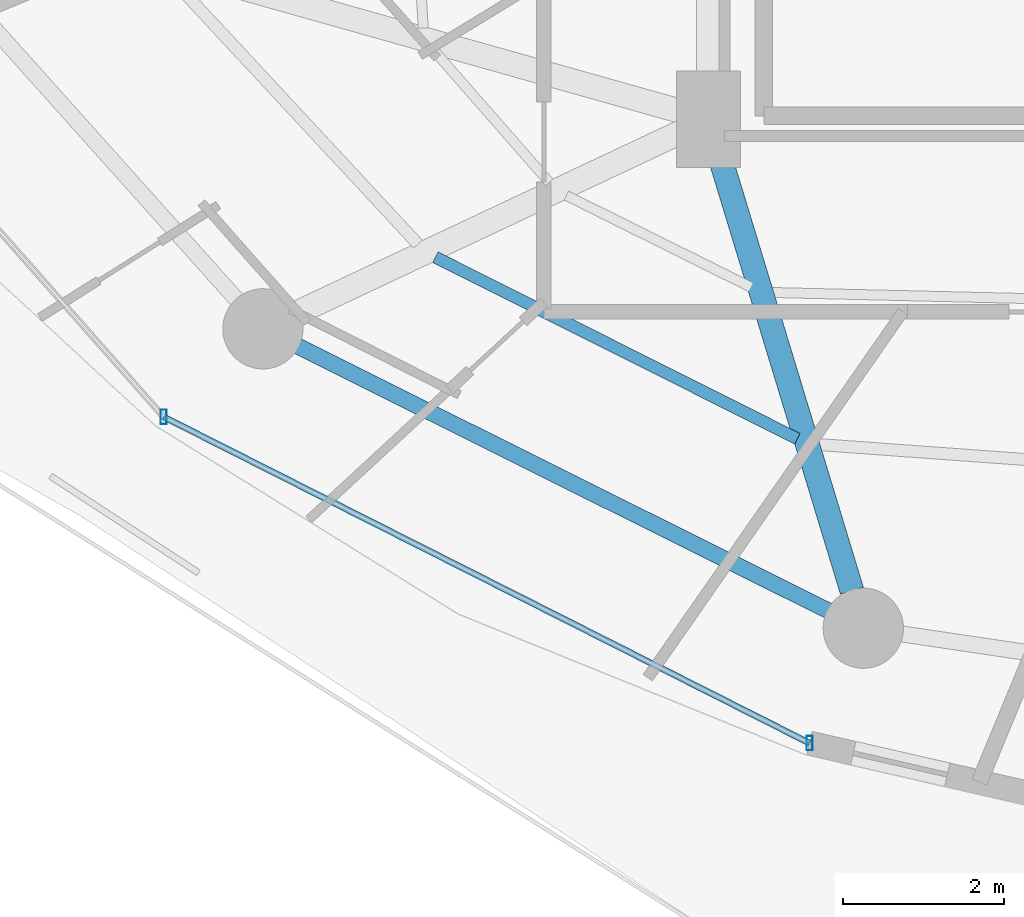
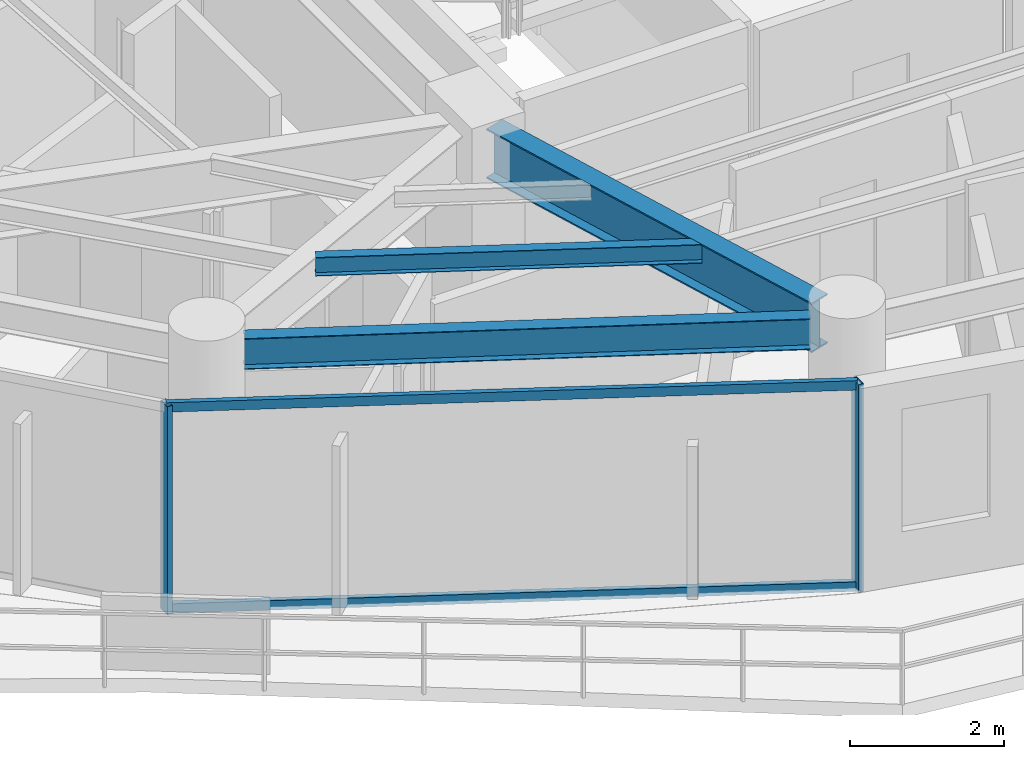
# One storey, part 2 of 28: 4 members, 3 beams, 1 element without a shape of its own.
"""IFC4 building model written with IfcOpenShell, lengths in metres."""

import ifcopenshell
import ifcopenshell.guid

model = None  # the IFC model being written
_history = None  # IfcOwnerHistory: only IFC2X3 demands one
_inside = {}  # id of a spatial element -> (the spatial element, [elements in it])
_under = {}  # id of a project, library or spatial element -> (it, [spatial elements below it])
_declared = {}  # id of a project -> (the project, [libraries it declares])
_typed = {}  # id of a type object -> (the type object, [elements of that type])
_made_of = {}  # id of a material, layer set ... -> (it, [elements and type objects made of it])


def new_model(schema):
    """Start an empty IFC model of exactly this schema.

    Asked for "IFC4X3", IfcOpenShell would pick the latest addendum, in which some entities
    have other attributes; the version numbers below select the first issue.
    IFC2X3 requires an IfcOwnerHistory on every rooted entity: one is made here for all.
    """
    global model, _history
    if schema == "IFC4X3":
        model = ifcopenshell.file(schema_version=(4, 3, 0, 0))
    else:
        model = ifcopenshell.file(schema=schema)
    _inside.clear()
    _under.clear()
    _declared.clear()
    _typed.clear()
    _made_of.clear()
    _history = None
    if model.schema == "IFC2X3":
        org = make("IfcOrganization", Name="unknown")
        user = make(
            "IfcPersonAndOrganization",
            ThePerson=make("IfcPerson", FamilyName="unknown"),
            TheOrganization=org,
        )
        app = make(
            "IfcApplication",
            ApplicationDeveloper=org,
            Version="unknown",
            ApplicationFullName="unknown",
            ApplicationIdentifier="unknown",
        )
        _history = make(
            "IfcOwnerHistory",
            OwningUser=user,
            OwningApplication=app,
            ChangeAction="ADDED",
            CreationDate=0,
        )
    return model


def make(cls, **values):
    """One entity of the class cls with the attributes given. An attribute that is None is left unset."""
    return model.create_entity(
        cls, **{name: value for name, value in values.items() if value is not None}
    )


def rooted(cls, **values):
    """An entity with a GlobalId (a new one), such as an element, a storey or a relation."""
    return make(cls, GlobalId=ifcopenshell.guid.new(), OwnerHistory=_history, **values)


def si_unit(unit_type, name, prefix=None):
    """IfcSIUnit, for example si_unit("LENGTHUNIT", "METRE", prefix="MILLI")."""
    return make("IfcSIUnit", UnitType=unit_type, Prefix=prefix, Name=name)


def assignment(units):
    """IfcUnitAssignment: the units of a project."""
    return None if units is None else make("IfcUnitAssignment", Units=units)


def point(xyz):
    """IfcCartesianPoint."""
    return None if xyz is None else make("IfcCartesianPoint", Coordinates=xyz)


def direction(xyz):
    """IfcDirection."""
    return None if xyz is None else make("IfcDirection", DirectionRatios=xyz)


def frame(location, z_axis=None, x_axis=None):
    """IfcAxis2Placement3D, a coordinate frame: its origin and axes. An axis left out is left unset."""
    return make(
        "IfcAxis2Placement3D",
        Location=point(location),
        Axis=direction(z_axis),
        RefDirection=direction(x_axis),
    )


def frame_2d(location, x_axis=None):
    """IfcAxis2Placement2D, a coordinate frame in the plane: its origin and x axis."""
    return make(
        "IfcAxis2Placement2D", Location=point(location), RefDirection=direction(x_axis)
    )


def origin():
    """The frame at (0, 0, 0) with its axes left unset."""
    return frame((0.0, 0.0, 0.0))


def origin_2d():
    """The frame at (0, 0) in the plane with its x axis left unset."""
    return frame_2d((0.0, 0.0))


def place(relative_to, where):
    """IfcLocalPlacement: puts the frame where relative to a parent placement (None: the world)."""
    return make(
        "IfcLocalPlacement", PlacementRelTo=relative_to, RelativePlacement=where
    )


def context(
    kind, dimensions, precision=None, world=None, true_north=None, identifier=None
):
    """IfcGeometricRepresentationContext, for example the 3D "Model" context."""
    return make(
        "IfcGeometricRepresentationContext",
        ContextIdentifier=identifier,
        ContextType=kind,
        CoordinateSpaceDimension=dimensions,
        Precision=precision,
        WorldCoordinateSystem=world,
        TrueNorth=true_north,
    )


def subcontext(parent, identifier, kind, view, scale=None):
    """IfcGeometricRepresentationSubContext, for example "Body" below "Model"."""
    return make(
        "IfcGeometricRepresentationSubContext",
        ContextIdentifier=identifier,
        ContextType=kind,
        ParentContext=parent,
        TargetScale=scale,
        TargetView=view,
    )


def project(units=None, contexts=None):
    """IfcProject with its units and contexts."""
    return rooted(
        "IfcProject",
        Name="project",
        RepresentationContexts=contexts,
        UnitsInContext=assignment(units),
    )


def spatial(cls, under=None, at=None, **own):
    """A site, building, storey or space (cls), placed at a placement, below another one or the project."""
    s = rooted(cls, ObjectPlacement=at, **own)
    if under is not None:
        _under.setdefault(under.id(), (under, []))[1].append(s)
    return s


def profile(cls, at=None, kind="AREA", **sizes):
    """A parametric profile (cls). Its sizes go by their IFC names, for example OverallWidth=200.0."""
    return make(cls, ProfileType=kind, Position=at, **sizes)


def hollow_rectangle(**sizes):
    """IfcRectangleHollowProfileDef."""
    return profile("IfcRectangleHollowProfileDef", **sizes)


def i_section(**sizes):
    """IfcIShapeProfileDef."""
    return profile("IfcIShapeProfileDef", **sizes)


def extrude(swept, where, along, depth):
    """IfcExtrudedAreaSolid: the profile swept, set in the frame where, extruded along a direction by depth."""
    return make(
        "IfcExtrudedAreaSolid",
        SweptArea=swept,
        Position=where,
        ExtrudedDirection=direction(along),
        Depth=depth,
    )


def shape(context_of_items, identifier, shape_type, items):
    """IfcShapeRepresentation: the items that make up one representation, for example the "Body"."""
    return make(
        "IfcShapeRepresentation",
        ContextOfItems=context_of_items,
        RepresentationIdentifier=identifier,
        RepresentationType=shape_type,
        Items=items,
    )


def material(Name=None, Category=None):
    """IfcMaterial."""
    return make("IfcMaterial", Name=Name, Category=Category)


def material_profile(
    of_material, cross_section, Name=None, Category=None, Priority=None
):
    """IfcMaterialProfile: a cross section and its material."""
    return make(
        "IfcMaterialProfile",
        Name=Name,
        Material=of_material,
        Profile=cross_section,
        Priority=Priority,
        Category=Category,
    )


def profile_set(profiles, Name=None, composite=None):
    """IfcMaterialProfileSet."""
    return make(
        "IfcMaterialProfileSet",
        Name=Name,
        MaterialProfiles=profiles,
        CompositeProfile=composite,
    )


def made_of(thing, what):
    """Note that an element or type object is made of a material, layer set ...; save() writes the relation."""
    if what is not None:
        _made_of.setdefault(what.id(), (what, []))[1].append(thing)
    return thing


def type_object(cls, material=None, **own):
    """A type object (cls), such as IfcWallType, which elements share."""
    return made_of(rooted(cls, **own), material)


def element(
    cls,
    number,
    at=None,
    inside=None,
    cuts=None,
    type_object=None,
    material=None,
    context=None,
    identifier="Body",
    shape_type=None,
    held_by="IfcProductDefinitionShape",
    body=None,
    shapes=None,
    **own,
):
    """One element of the class cls, such as IfcWall. Its Tag is "e" and its number.

    at: its placement. inside: the storey or other place that contains it. cuts: it is an
    opening in that element (IfcRelVoidsElement). A single representation is given by context,
    identifier, shape_type and body (its items); several are given by shapes. held_by: the class
    of the entity that holds the representations. save() writes the other relations.
    """
    e = rooted(cls, Tag="e%d" % number, ObjectPlacement=at, **own)
    if body is not None:
        shapes = [shape(context, identifier, shape_type, body)]
    if shapes is not None:
        e.Representation = make(held_by, Representations=shapes)
    if inside is not None:
        _inside.setdefault(inside.id(), (inside, []))[1].append(e)
    if cuts is not None:
        rooted(
            "IfcRelVoidsElement", RelatingBuildingElement=cuts, RelatedOpeningElement=e
        )
    if type_object is not None:
        _typed.setdefault(type_object.id(), (type_object, []))[1].append(e)
    return made_of(e, material)


def aggregate(whole, parts):
    """IfcRelAggregates: a whole, such as a stair, and the parts it consists of."""
    return rooted("IfcRelAggregates", RelatingObject=whole, RelatedObjects=parts)


def save(model, path):
    """Write the relations noted so far, then the file.

    IfcRelAggregates (storeys below a building ...), IfcRelContainedInSpatialStructure (elements
    in a storey), IfcRelDefinesByType, IfcRelAssociatesMaterial and IfcRelDeclares: one each for
    every whole, place, type object, material and project.
    """
    for whole, parts in _under.values():
        aggregate(whole, parts)
    for where, things in _inside.values():
        rooted(
            "IfcRelContainedInSpatialStructure",
            RelatedElements=things,
            RelatingStructure=where,
        )
    for kind, things in _typed.values():
        rooted("IfcRelDefinesByType", RelatedObjects=things, RelatingType=kind)
    for what, things in _made_of.values():
        rooted("IfcRelAssociatesMaterial", RelatedObjects=things, RelatingMaterial=what)
    for by, libraries in _declared.values():
        rooted("IfcRelDeclares", RelatingContext=by, RelatedDefinitions=libraries)
    model.write(path)


model = new_model("IFC4")

# Units and contexts
model_context = context("Model", 3, precision=1e-05, world=origin(), true_north=direction((0.0, 1.0)))
body_context = subcontext(model_context, "Body", "Model", "MODEL_VIEW")
ifc_project = project(units=[si_unit("LENGTHUNIT", "METRE"), si_unit("AREAUNIT", "SQUARE_METRE"), si_unit("VOLUMEUNIT", "CUBIC_METRE"), si_unit("PLANEANGLEUNIT", "RADIAN"), si_unit("MASSUNIT", "GRAM", prefix="KILO")], contexts=[model_context])

# Site, building, storey
site_placement = place(None, origin())
site = spatial("IfcSite", under=ifc_project, at=site_placement, CompositionType="ELEMENT")
building_placement = place(site_placement, origin())
building = spatial("IfcBuilding", under=site, at=building_placement, Name="Vorneva Point Tower", CompositionType="ELEMENT")
storey_placement = place(building_placement, frame((0.0, 0.0, 143.10009765625)))
storey = spatial("IfcBuildingStorey", under=building, at=storey_placement, Name="L38", CompositionType="ELEMENT", Elevation=143.10009765625)

# Beams
ifc_material_1 = material(Name="Steel S355", Category="steel")
ifc_material_profile_1 = material_profile(ifc_material_1, i_section(OverallWidth=0.300048828125, OverallDepth=0.7880859375, WebThickness=0.014404296875, FlangeThickness=0.02197265625, at=origin_2d()), Name="80Sh1")
ifc_profile_set_1 = profile_set([ifc_material_profile_1], Name="Steel S355")
beam_type_1 = type_object("IfcBeamType", Name="BM-GRD-80Sh1", PredefinedType="USERDEFINED", material=ifc_profile_set_1)
beam_1_placement = place(storey_placement, frame((29.037109375, 10.576171875, 2.845947265625), z_axis=(-0.291049382966, 0.95670803105, 0.0), x_axis=(-0.95670803105, -0.291049382966, 0.0)))
element("IfcBeam", 1, at=beam_1_placement, inside=storey, type_object=beam_type_1, Name="L38 Radial Primary Girder 12", ObjectType="GIRDER", PredefinedType="USERDEFINED", context=body_context, shape_type="SweptSolid", body=[
    extrude(i_section(OverallWidth=0.300048828125, OverallDepth=0.7880859375, WebThickness=0.014404296875, FlangeThickness=0.02197265625, at=origin_2d()), origin(), (0.0, 0.0, 1.0), 5.799560546875),
])
ifc_material_profile_2 = material_profile(ifc_material_1, i_section(OverallWidth=0.14892578125, OverallDepth=0.298095703125, WebThickness=0.005615234375, FlangeThickness=0.008056640625, at=origin_2d()), Name="30B1")
ifc_profile_set_2 = profile_set([ifc_material_profile_2], Name="Steel S355")
beam_type_2 = type_object("IfcBeamType", Name="BM-JST-30B1", PredefinedType="JOIST", material=ifc_profile_set_2)
beam_2_placement = place(storey_placement, frame((23.85009765625, 14.7294921875, 3.0908203125), z_axis=(0.893855059999, -0.448356032316, 0.0), x_axis=(0.448356032316, 0.893855059999, 0.0)))
element("IfcBeam", 2, at=beam_2_placement, inside=storey, type_object=beam_type_2, Name="L38 Secondary Floor Beam 1.11", PredefinedType="JOIST", context=body_context, shape_type="SweptSolid", body=[
    extrude(i_section(OverallWidth=0.14892578125, OverallDepth=0.298095703125, WebThickness=0.005615234375, FlangeThickness=0.008056640625, at=origin_2d()), origin(), (0.0, 0.0, 1.0), 5.041748046875),
])
ifc_material_profile_3 = material_profile(ifc_material_1, i_section(OverallWidth=0.199951171875, OverallDepth=0.491943359375, WebThickness=0.0087890625, FlangeThickness=0.011962890625, at=origin_2d()), Name="50B1")
ifc_profile_set_3 = profile_set([ifc_material_profile_3], Name="Steel S355")
beam_type_3 = type_object("IfcBeamType", Name="BM-SPN-50B1", PredefinedType="SPANDREL", material=ifc_profile_set_3)
beam_3_placement = place(storey_placement, frame((22.13525390625, 13.621337890625, 2.993896484375), z_axis=(0.894929061397, -0.446208443518, 0.0), x_axis=(0.446208443518, 0.894929061397, 0.0)))
element("IfcBeam", 3, at=beam_3_placement, inside=storey, type_object=beam_type_3, Name="L38 Perimeter Spandrel Ring Beam 11", PredefinedType="SPANDREL", context=body_context, shape_type="SweptSolid", body=[
    extrude(i_section(OverallWidth=0.199951171875, OverallDepth=0.491943359375, WebThickness=0.0087890625, FlangeThickness=0.011962890625, at=origin_2d()), origin(), (0.0, 0.0, 1.0), 7.385986328125),
])

# Curtain wall, members
ifc_material_2 = material(Name="Pale anodised aluminium", Category="aluminium")
curtain_wall_type = type_object("IfcCurtainWallType", Name="CW-RES-SYS", PredefinedType="NOTDEFINED", material=ifc_material_2)
curtain_wall_placement = place(storey_placement, origin())
curtain_wall = element("IfcCurtainWall", 4, at=curtain_wall_placement, inside=storey, type_object=curtain_wall_type, Name="L38 Unitised Curtain Wall CW-L38-R02", PredefinedType="NOTDEFINED")
ifc_material_profile_4 = material_profile(ifc_material_2, hollow_rectangle(XDim=0.074951171875, YDim=0.179931640625, WallThickness=0.00390625, at=origin_2d()), Name="AL-MUL 180x75x4")
ifc_profile_set_4 = profile_set([ifc_material_profile_4], Name="Pale anodised aluminium")
member_type_1 = type_object("IfcMemberType", Name="CW-MUL-180", PredefinedType="MULLION", material=ifc_profile_set_4)
member_1_placement = place(storey_placement, frame((20.4638671875, 12.74169921875, -0.0400390625), z_axis=(0.0, 0.0, 1.0), x_axis=(1.0, 0.0, 0.0)))
member_1 = element("IfcMember", 5, at=member_1_placement, type_object=member_type_1, Name="CW-L38-R02 Mullion 05", PredefinedType="MULLION", context=body_context, shape_type="SweptSolid", body=[
    extrude(hollow_rectangle(XDim=0.074951171875, YDim=0.179931640625, WallThickness=0.00390625, at=origin_2d()), origin(), (0.0, 0.0, 1.0), 3.31005859375),
])
member_2_placement = place(storey_placement, frame((28.509521484375, 8.67724609375, -0.0400390625), z_axis=(0.0, 0.0, 1.0), x_axis=(1.0, 0.0, 0.0)))
member_2 = element("IfcMember", 6, at=member_2_placement, type_object=member_type_1, Name="CW-L38-R02 Mullion 06", PredefinedType="MULLION", context=body_context, shape_type="SweptSolid", body=[
    extrude(hollow_rectangle(XDim=0.074951171875, YDim=0.179931640625, WallThickness=0.00390625, at=origin_2d()), origin(), (0.0, 0.0, 1.0), 3.31005859375),
])
ifc_material_profile_5 = material_profile(ifc_material_2, hollow_rectangle(XDim=0.074951171875, YDim=0.14990234375, WallThickness=0.00390625, at=origin_2d()), Name="AL-TRN 150x75x4")
ifc_profile_set_5 = profile_set([ifc_material_profile_5], Name="Pale anodised aluminium")
member_type_2 = type_object("IfcMemberType", Name="CW-TRN-150", PredefinedType="USERDEFINED", material=ifc_profile_set_5)
member_3_placement = place(storey_placement, frame((20.4638671875, 12.74169921875, 0.02001953125), z_axis=(0.892572392955, -0.450904117673, 0.0), x_axis=(0.450904117673, 0.892572392955, 0.0)))
member_3 = element("IfcMember", 7, at=member_3_placement, type_object=member_type_2, Name="CW-L38-R02 Transom 05.1", ObjectType="TRANSOM", PredefinedType="USERDEFINED", context=body_context, shape_type="SweptSolid", body=[
    extrude(hollow_rectangle(XDim=0.074951171875, YDim=0.14990234375, WallThickness=0.00390625, at=origin_2d()), origin(), (0.0, 0.0, 1.0), 9.013916015625),
])
member_4_placement = place(storey_placement, frame((20.4638671875, 12.74169921875, 3.219970703125), z_axis=(0.892572392955, -0.450904117673, 0.0), x_axis=(0.450904117673, 0.892572392955, 0.0)))
member_4 = element("IfcMember", 8, at=member_4_placement, type_object=member_type_2, Name="CW-L38-R02 Transom 05.2", ObjectType="TRANSOM", PredefinedType="USERDEFINED", context=body_context, shape_type="SweptSolid", body=[
    extrude(hollow_rectangle(XDim=0.074951171875, YDim=0.14990234375, WallThickness=0.00390625, at=origin_2d()), origin(), (0.0, 0.0, 1.0), 9.013916015625),
])
aggregate(curtain_wall, [member_1, member_2, member_3, member_4])

save(model, "model.ifc")
